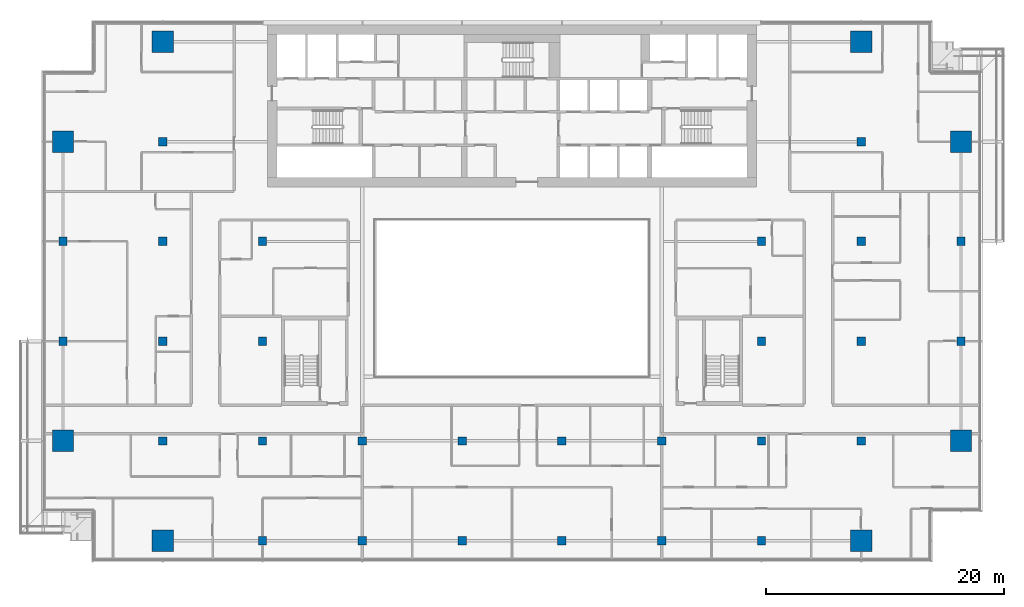
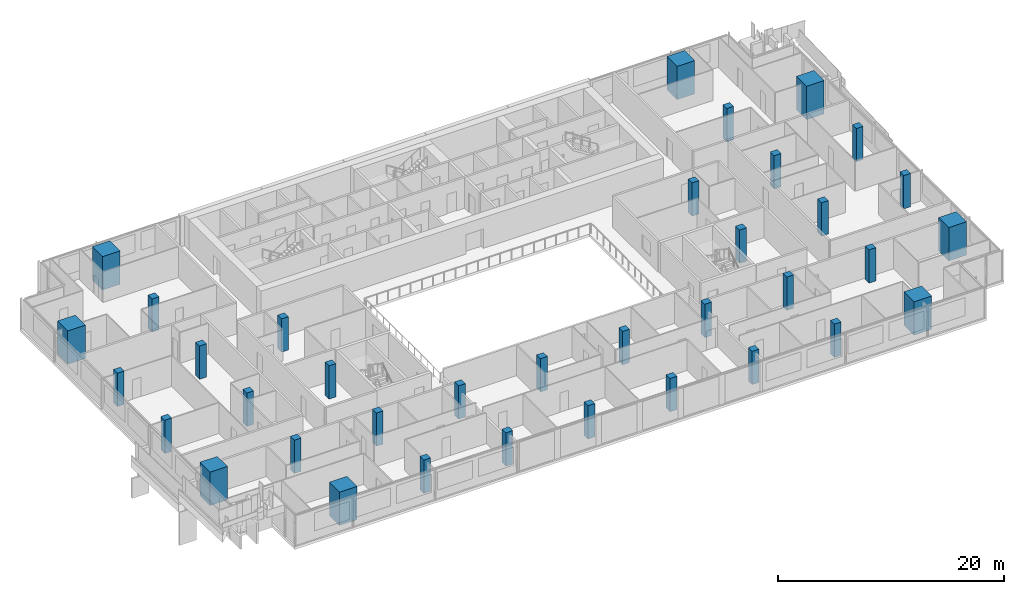
# One storey, part 1 of 29: 36 columns.
"""IFC4 building model written with IfcOpenShell, lengths in metres."""

import ifcopenshell
import ifcopenshell.guid

model = None  # the IFC model being written
_history = None  # IfcOwnerHistory: only IFC2X3 demands one
_inside = {}  # id of a spatial element -> (the spatial element, [elements in it])
_under = {}  # id of a project, library or spatial element -> (it, [spatial elements below it])
_declared = {}  # id of a project -> (the project, [libraries it declares])
_typed = {}  # id of a type object -> (the type object, [elements of that type])
_made_of = {}  # id of a material, layer set ... -> (it, [elements and type objects made of it])


def new_model(schema):
    """Start an empty IFC model of exactly this schema.

    Asked for "IFC4X3", IfcOpenShell would pick the latest addendum, in which some entities
    have other attributes; the version numbers below select the first issue.
    IFC2X3 requires an IfcOwnerHistory on every rooted entity: one is made here for all.
    """
    global model, _history
    if schema == "IFC4X3":
        model = ifcopenshell.file(schema_version=(4, 3, 0, 0))
    else:
        model = ifcopenshell.file(schema=schema)
    _inside.clear()
    _under.clear()
    _declared.clear()
    _typed.clear()
    _made_of.clear()
    _history = None
    if model.schema == "IFC2X3":
        org = make("IfcOrganization", Name="unknown")
        user = make(
            "IfcPersonAndOrganization",
            ThePerson=make("IfcPerson", FamilyName="unknown"),
            TheOrganization=org,
        )
        app = make(
            "IfcApplication",
            ApplicationDeveloper=org,
            Version="unknown",
            ApplicationFullName="unknown",
            ApplicationIdentifier="unknown",
        )
        _history = make(
            "IfcOwnerHistory",
            OwningUser=user,
            OwningApplication=app,
            ChangeAction="ADDED",
            CreationDate=0,
        )
    return model


def make(cls, **values):
    """One entity of the class cls with the attributes given. An attribute that is None is left unset."""
    return model.create_entity(
        cls, **{name: value for name, value in values.items() if value is not None}
    )


def rooted(cls, **values):
    """An entity with a GlobalId (a new one), such as an element, a storey or a relation."""
    return make(cls, GlobalId=ifcopenshell.guid.new(), OwnerHistory=_history, **values)


def si_unit(unit_type, name, prefix=None):
    """IfcSIUnit, for example si_unit("LENGTHUNIT", "METRE", prefix="MILLI")."""
    return make("IfcSIUnit", UnitType=unit_type, Prefix=prefix, Name=name)


def assignment(units):
    """IfcUnitAssignment: the units of a project."""
    return None if units is None else make("IfcUnitAssignment", Units=units)


def point(xyz):
    """IfcCartesianPoint."""
    return None if xyz is None else make("IfcCartesianPoint", Coordinates=xyz)


def direction(xyz):
    """IfcDirection."""
    return None if xyz is None else make("IfcDirection", DirectionRatios=xyz)


def frame(location, z_axis=None, x_axis=None):
    """IfcAxis2Placement3D, a coordinate frame: its origin and axes. An axis left out is left unset."""
    return make(
        "IfcAxis2Placement3D",
        Location=point(location),
        Axis=direction(z_axis),
        RefDirection=direction(x_axis),
    )


def frame_2d(location, x_axis=None):
    """IfcAxis2Placement2D, a coordinate frame in the plane: its origin and x axis."""
    return make(
        "IfcAxis2Placement2D", Location=point(location), RefDirection=direction(x_axis)
    )


def origin():
    """The frame at (0, 0, 0) with its axes left unset."""
    return frame((0.0, 0.0, 0.0))


def origin_2d():
    """The frame at (0, 0) in the plane with its x axis left unset."""
    return frame_2d((0.0, 0.0))


def place(relative_to, where):
    """IfcLocalPlacement: puts the frame where relative to a parent placement (None: the world)."""
    return make(
        "IfcLocalPlacement", PlacementRelTo=relative_to, RelativePlacement=where
    )


def context(
    kind, dimensions, precision=None, world=None, true_north=None, identifier=None
):
    """IfcGeometricRepresentationContext, for example the 3D "Model" context."""
    return make(
        "IfcGeometricRepresentationContext",
        ContextIdentifier=identifier,
        ContextType=kind,
        CoordinateSpaceDimension=dimensions,
        Precision=precision,
        WorldCoordinateSystem=world,
        TrueNorth=true_north,
    )


def subcontext(parent, identifier, kind, view, scale=None):
    """IfcGeometricRepresentationSubContext, for example "Body" below "Model"."""
    return make(
        "IfcGeometricRepresentationSubContext",
        ContextIdentifier=identifier,
        ContextType=kind,
        ParentContext=parent,
        TargetScale=scale,
        TargetView=view,
    )


def project(units=None, contexts=None):
    """IfcProject with its units and contexts."""
    return rooted(
        "IfcProject",
        Name="project",
        RepresentationContexts=contexts,
        UnitsInContext=assignment(units),
    )


def spatial(cls, under=None, at=None, **own):
    """A site, building, storey or space (cls), placed at a placement, below another one or the project."""
    s = rooted(cls, ObjectPlacement=at, **own)
    if under is not None:
        _under.setdefault(under.id(), (under, []))[1].append(s)
    return s


def profile(cls, at=None, kind="AREA", **sizes):
    """A parametric profile (cls). Its sizes go by their IFC names, for example OverallWidth=200.0."""
    return make(cls, ProfileType=kind, Position=at, **sizes)


def rectangle(**sizes):
    """IfcRectangleProfileDef."""
    return profile("IfcRectangleProfileDef", **sizes)


def extrude(swept, where, along, depth):
    """IfcExtrudedAreaSolid: the profile swept, set in the frame where, extruded along a direction by depth."""
    return make(
        "IfcExtrudedAreaSolid",
        SweptArea=swept,
        Position=where,
        ExtrudedDirection=direction(along),
        Depth=depth,
    )


def shape(context_of_items, identifier, shape_type, items):
    """IfcShapeRepresentation: the items that make up one representation, for example the "Body"."""
    return make(
        "IfcShapeRepresentation",
        ContextOfItems=context_of_items,
        RepresentationIdentifier=identifier,
        RepresentationType=shape_type,
        Items=items,
    )


def material(Name=None, Category=None):
    """IfcMaterial."""
    return make("IfcMaterial", Name=Name, Category=Category)


def material_profile(
    of_material, cross_section, Name=None, Category=None, Priority=None
):
    """IfcMaterialProfile: a cross section and its material."""
    return make(
        "IfcMaterialProfile",
        Name=Name,
        Material=of_material,
        Profile=cross_section,
        Priority=Priority,
        Category=Category,
    )


def profile_set(profiles, Name=None, composite=None):
    """IfcMaterialProfileSet."""
    return make(
        "IfcMaterialProfileSet",
        Name=Name,
        MaterialProfiles=profiles,
        CompositeProfile=composite,
    )


def made_of(thing, what):
    """Note that an element or type object is made of a material, layer set ...; save() writes the relation."""
    if what is not None:
        _made_of.setdefault(what.id(), (what, []))[1].append(thing)
    return thing


def type_object(cls, material=None, **own):
    """A type object (cls), such as IfcWallType, which elements share."""
    return made_of(rooted(cls, **own), material)


def element(
    cls,
    number,
    at=None,
    inside=None,
    cuts=None,
    type_object=None,
    material=None,
    context=None,
    identifier="Body",
    shape_type=None,
    held_by="IfcProductDefinitionShape",
    body=None,
    shapes=None,
    **own,
):
    """One element of the class cls, such as IfcWall. Its Tag is "e" and its number.

    at: its placement. inside: the storey or other place that contains it. cuts: it is an
    opening in that element (IfcRelVoidsElement). A single representation is given by context,
    identifier, shape_type and body (its items); several are given by shapes. held_by: the class
    of the entity that holds the representations. save() writes the other relations.
    """
    e = rooted(cls, Tag="e%d" % number, ObjectPlacement=at, **own)
    if body is not None:
        shapes = [shape(context, identifier, shape_type, body)]
    if shapes is not None:
        e.Representation = make(held_by, Representations=shapes)
    if inside is not None:
        _inside.setdefault(inside.id(), (inside, []))[1].append(e)
    if cuts is not None:
        rooted(
            "IfcRelVoidsElement", RelatingBuildingElement=cuts, RelatedOpeningElement=e
        )
    if type_object is not None:
        _typed.setdefault(type_object.id(), (type_object, []))[1].append(e)
    return made_of(e, material)


def aggregate(whole, parts):
    """IfcRelAggregates: a whole, such as a stair, and the parts it consists of."""
    return rooted("IfcRelAggregates", RelatingObject=whole, RelatedObjects=parts)


def save(model, path):
    """Write the relations noted so far, then the file.

    IfcRelAggregates (storeys below a building ...), IfcRelContainedInSpatialStructure (elements
    in a storey), IfcRelDefinesByType, IfcRelAssociatesMaterial and IfcRelDeclares: one each for
    every whole, place, type object, material and project.
    """
    for whole, parts in _under.values():
        aggregate(whole, parts)
    for where, things in _inside.values():
        rooted(
            "IfcRelContainedInSpatialStructure",
            RelatedElements=things,
            RelatingStructure=where,
        )
    for kind, things in _typed.values():
        rooted("IfcRelDefinesByType", RelatedObjects=things, RelatingType=kind)
    for what, things in _made_of.values():
        rooted("IfcRelAssociatesMaterial", RelatedObjects=things, RelatingMaterial=what)
    for by, libraries in _declared.values():
        rooted("IfcRelDeclares", RelatingContext=by, RelatedDefinitions=libraries)
    model.write(path)


model = new_model("IFC4")

# Units and contexts
model_context = context("Model", 3, precision=1e-05, world=origin(), true_north=direction((0.0, 1.0)))
body_context = subcontext(model_context, "Body", "Model", "MODEL_VIEW")
ifc_project = project(units=[si_unit("LENGTHUNIT", "METRE"), si_unit("AREAUNIT", "SQUARE_METRE"), si_unit("VOLUMEUNIT", "CUBIC_METRE"), si_unit("PLANEANGLEUNIT", "RADIAN"), si_unit("MASSUNIT", "GRAM", prefix="KILO")], contexts=[model_context])

# Site, building, storey
site_placement = place(None, origin())
site = spatial("IfcSite", under=ifc_project, at=site_placement, CompositionType="ELEMENT")
building_placement = place(site_placement, origin())
building = spatial("IfcBuilding", under=site, at=building_placement, Name="Saffron Gate Tower", CompositionType="ELEMENT")
storey_placement = place(building_placement, frame((0.0, 0.0, 187.050048828125)))
storey = spatial("IfcBuildingStorey", under=building, at=storey_placement, Name="L46", CompositionType="ELEMENT", Elevation=187.050048828125)

# Columns
ifc_material_1 = material(Name="Concrete C50", Category="concrete")
ifc_material_profile_1 = material_profile(ifc_material_1, rectangle(XDim=0.699951171875, YDim=0.699951171875, at=origin_2d()))
ifc_profile_set_1 = profile_set([ifc_material_profile_1], Name="Concrete C50")
column_type_1 = type_object("IfcColumnType", Name="C3 RC 700x700 CONCRETE C50", PredefinedType="COLUMN", material=ifc_profile_set_1)
for number, where, z_axis, x_axis, name in (
    (1, (49.800048828125, 48.60009765625, 0.0), (0.0, 0.0, 1.0), (1.0, 0.0, 0.0), "C3 COLUMN X1-C"),
    (2, (49.800048828125, 57.0, 0.0), (0.0, 0.0, 1.0), (1.0, 0.0, 0.0), "C3 COLUMN X1-D"),
    (3, (58.199951171875, 40.199951171875, 0.0), (0.0, 0.0, 1.0), (1.0, 0.0, 0.0), "C3 COLUMN X2-B"),
    (4, (58.199951171875, 48.60009765625, 0.0), (0.0, 0.0, 1.0), (1.0, 0.0, 0.0), "C3 COLUMN X2-C"),
    (5, (58.199951171875, 57.0, 0.0), (0.0, 0.0, 1.0), (1.0, 0.0, 0.0), "C3 COLUMN X2-D"),
    (6, (58.199951171875, 65.39990234375, 0.0), (0.0, 0.0, 1.0), (1.0, 0.0, 0.0), "C3 COLUMN X2-E"),
    (7, (66.60009765625, 31.800048828125, 0.0), (0.0, 0.0, 1.0), (1.0, 0.0, 0.0), "C3 COLUMN X3-A"),
    (8, (66.60009765625, 40.199951171875, 0.0), (0.0, 0.0, 1.0), (1.0, 0.0, 0.0), "C3 COLUMN X3-B"),
    (9, (66.60009765625, 48.60009765625, 0.0), (0.0, 0.0, 1.0), (1.0, 0.0, 0.0), "C3 COLUMN X3-C"),
    (10, (66.60009765625, 57.0, 0.0), (0.0, 0.0, 1.0), (1.0, 0.0, 0.0), "C3 COLUMN X3-D"),
    (11, (75.0, 31.800048828125, 0.0), (0.0, 0.0, 1.0), (1.0, 0.0, 0.0), "C3 COLUMN X4-A"),
    (12, (75.0, 40.199951171875, 0.0), (0.0, 0.0, 1.0), (1.0, 0.0, 0.0), "C3 COLUMN X4-B"),
    (13, (83.39990234375, 31.800048828125, 0.0), (0.0, 0.0, 1.0), (1.0, 0.0, 0.0), "C3 COLUMN X5-A"),
    (14, (83.39990234375, 40.199951171875, 0.0), (0.0, 0.0, 1.0), (1.0, 0.0, 0.0), "C3 COLUMN X5-B"),
    (15, (91.800048828125, 31.800048828125, 0.0), (0.0, 0.0, 1.0), (1.0, 0.0, 0.0), "C3 COLUMN X6-A"),
    (16, (91.800048828125, 40.199951171875, 0.0), (0.0, 0.0, 1.0), (1.0, 0.0, 0.0), "C3 COLUMN X6-B"),
    (17, (100.199951171875, 31.800048828125, 0.0), (0.0, 0.0, 1.0), (1.0, 0.0, 0.0), "C3 COLUMN X7-A"),
    (18, (100.199951171875, 40.199951171875, 0.0), (0.0, 0.0, 1.0), (1.0, 0.0, 0.0), "C3 COLUMN X7-B"),
    (19, (108.60009765625, 31.800048828125, 0.0), (0.0, 0.0, 1.0), (1.0, 0.0, 0.0), "C3 COLUMN X8-A"),
    (20, (108.60009765625, 40.199951171875, 0.0), (0.0, 0.0, 1.0), (1.0, 0.0, 0.0), "C3 COLUMN X8-B"),
    (21, (108.60009765625, 48.60009765625, 0.0), (0.0, 0.0, 1.0), (1.0, 0.0, 0.0), "C3 COLUMN X8-C"),
    (22, (108.60009765625, 57.0, 0.0), (0.0, 0.0, 1.0), (1.0, 0.0, 0.0), "C3 COLUMN X8-D"),
    (23, (117.0, 40.199951171875, 0.0), (0.0, 0.0, 1.0), (1.0, 0.0, 0.0), "C3 COLUMN X9-B"),
    (24, (117.0, 48.60009765625, 0.0), (0.0, 0.0, 1.0), (1.0, 0.0, 0.0), "C3 COLUMN X9-C"),
    (25, (117.0, 57.0, 0.0), (0.0, 0.0, 1.0), (1.0, 0.0, 0.0), "C3 COLUMN X9-D"),
    (26, (117.0, 65.39990234375, 0.0), (0.0, 0.0, 1.0), (1.0, 0.0, 0.0), "C3 COLUMN X9-E"),
    (27, (125.39990234375, 48.60009765625, 0.0), (0.0, 0.0, 1.0), (1.0, 0.0, 0.0), "C3 COLUMN X10-C"),
    (28, (125.39990234375, 57.0, 0.0), (0.0, 0.0, 1.0), (1.0, 0.0, 0.0), "C3 COLUMN X10-D"),
):
    element("IfcColumn", number, at=place(storey_placement, frame(where, z_axis=z_axis, x_axis=x_axis)), inside=storey, type_object=column_type_1, Name=name, PredefinedType="COLUMN", context=body_context, shape_type="SweptSolid", body=[
        extrude(rectangle(XDim=0.699951171875, YDim=0.699951171875, at=origin_2d()), origin(), (0.0, 0.0, 1.0), 3.599853515625),
    ])
ifc_material_2 = material(Name="Concrete C70", Category="concrete")
ifc_material_profile_2 = material_profile(ifc_material_2, rectangle(XDim=1.800048828125, YDim=1.800048828125, at=origin_2d()))
ifc_profile_set_2 = profile_set([ifc_material_profile_2], Name="Concrete C70")
column_type_2 = type_object("IfcColumnType", Name="MC2 RC 1800x1800 CONCRETE C70", PredefinedType="COLUMN", material=ifc_profile_set_2)
for number, where, z_axis, x_axis, name in (
    (29, (49.800048828125, 40.199951171875, 0.0), (0.0, 0.0, 1.0), (1.0, 0.0, 0.0), "MC2 MEGA COLUMN X1-B"),
    (30, (49.800048828125, 65.39990234375, 0.0), (0.0, 0.0, 1.0), (1.0, 0.0, 0.0), "MC2 MEGA COLUMN X1-E"),
    (31, (58.199951171875, 31.800048828125, 0.0), (0.0, 0.0, 1.0), (1.0, 0.0, 0.0), "MC2 MEGA COLUMN X2-A"),
    (32, (58.199951171875, 73.800048828125, 0.0), (0.0, 0.0, 1.0), (1.0, 0.0, 0.0), "MC2 MEGA COLUMN X2-F"),
    (33, (117.0, 31.800048828125, 0.0), (0.0, 0.0, 1.0), (1.0, 0.0, 0.0), "MC2 MEGA COLUMN X9-A"),
    (34, (117.0, 73.800048828125, 0.0), (0.0, 0.0, 1.0), (1.0, 0.0, 0.0), "MC2 MEGA COLUMN X9-F"),
    (35, (125.39990234375, 40.199951171875, 0.0), (0.0, 0.0, 1.0), (1.0, 0.0, 0.0), "MC2 MEGA COLUMN X10-B"),
    (36, (125.39990234375, 65.39990234375, 0.0), (0.0, 0.0, 1.0), (1.0, 0.0, 0.0), "MC2 MEGA COLUMN X10-E"),
):
    element("IfcColumn", number, at=place(storey_placement, frame(where, z_axis=z_axis, x_axis=x_axis)), inside=storey, type_object=column_type_2, Name=name, PredefinedType="COLUMN", context=body_context, shape_type="SweptSolid", body=[
        extrude(rectangle(XDim=1.800048828125, YDim=1.800048828125, at=origin_2d()), origin(), (0.0, 0.0, 1.0), 3.599853515625),
    ])

save(model, "model.ifc")
